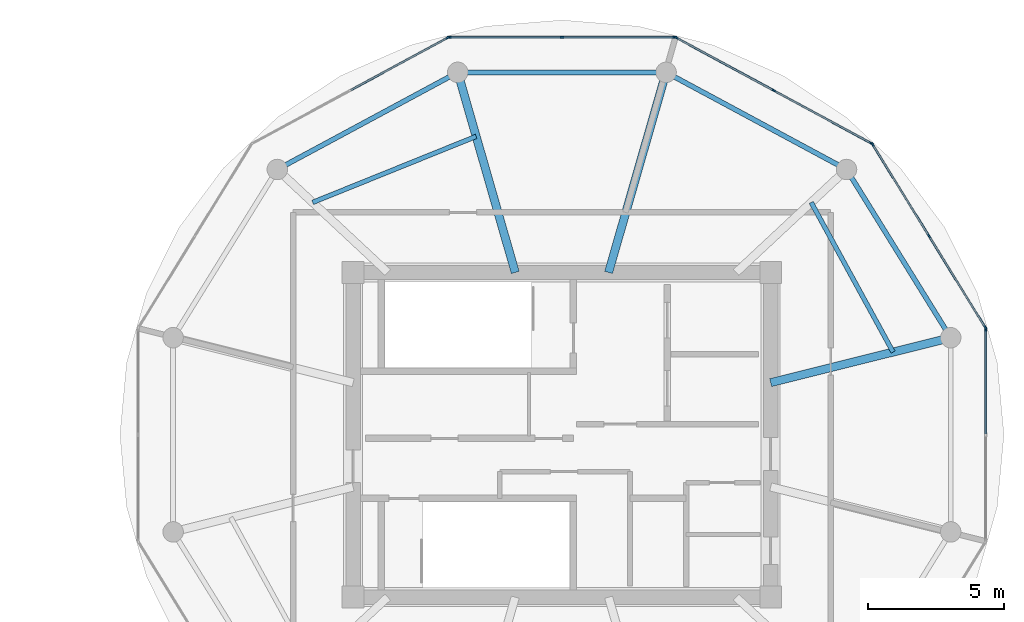
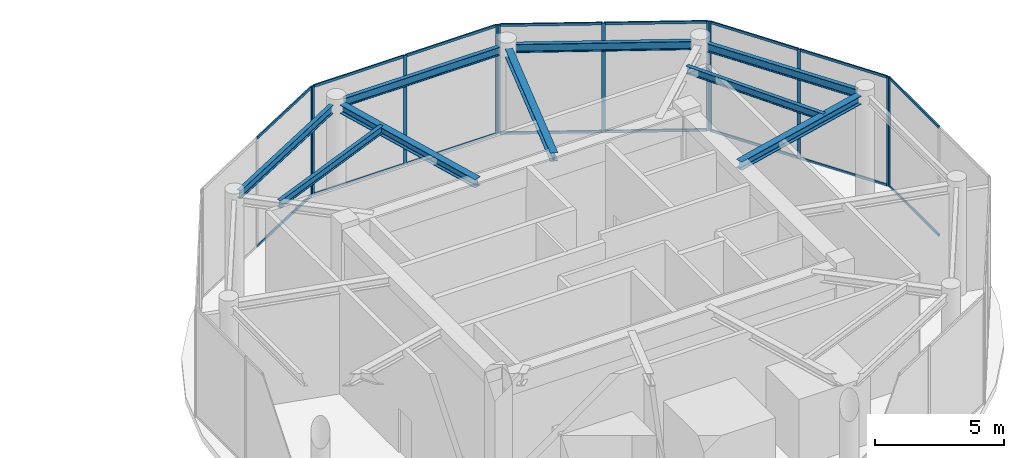
# One storey, part 8 of 15: 27 members, 9 beams, 5 elements without a shape of their own.
"""IFC4 building model written with IfcOpenShell, lengths in metres."""

from ifc_helpers import new_model, si_unit, direction, frame, origin, origin_2d, place, context, subcontext, project, spatial, rectangle, i_section, extrude, source, transform, mapped, material, layer, layer_set, material_profile, profile_set, type_object, type_shapes, element, aggregate, save


model = new_model("IFC4")

# Units and contexts
model_context = context("Model", 3, precision=1e-05, world=origin(), true_north=direction((0.0, 1.0)))
body_context = subcontext(model_context, "Body", "Model", "MODEL_VIEW")
ifc_project = project(units=[si_unit("LENGTHUNIT", "METRE"), si_unit("AREAUNIT", "SQUARE_METRE"), si_unit("VOLUMEUNIT", "CUBIC_METRE"), si_unit("PLANEANGLEUNIT", "RADIAN"), si_unit("MASSUNIT", "GRAM", prefix="KILO")], contexts=[model_context])

# Site, building, storey
site_placement = place(None, origin())
site = spatial("IfcSite", under=ifc_project, at=site_placement, CompositionType="ELEMENT")
building_placement = place(site_placement, origin())
building = spatial("IfcBuilding", under=site, at=building_placement, Name="Norrkilde Senior Care Towers", CompositionType="ELEMENT")
storey_placement = place(building_placement, frame((0.0, 0.0, 244.39990234375)))
storey = spatial("IfcBuildingStorey", under=building, at=storey_placement, Name="L76", CompositionType="ELEMENT", Elevation=244.39990234375)

# Beams
ifc_material_1 = material(Name="Steel S355", Category="steel")
ifc_material_profile_1 = material_profile(ifc_material_1, i_section(OverallWidth=0.179931640625, OverallDepth=0.39990234375, WebThickness=0.008544921875, FlangeThickness=0.013427734375, FilletRadius=0.02099609375, at=origin_2d()), Name="IPE 400")
ifc_profile_set_1 = profile_set([ifc_material_profile_1], Name="Steel S355")
beam_type_1 = type_object("IfcBeamType", Name="Perimeter Ring Spandrel Z4 IPE400", PredefinedType="SPANDREL", material=ifc_profile_set_1)
shared_shape_1 = source(origin(), body_context, "Body", "SweptSolid", [
    extrude(i_section(OverallWidth=0.179931640625, OverallDepth=0.39990234375, WebThickness=0.008544921875, FlangeThickness=0.013427734375, FilletRadius=0.02099609375, at=origin_2d()), origin(), (0.0, 0.0, 1.0), 6.58056640625),
])
beam_1_placement = place(storey_placement, frame((42.071044921875, 3.843505859375, 4.97509765625), z_axis=(-0.526529583789, 0.850156807533, 0.0), x_axis=(-0.850156807533, -0.526529583789, 0.0)))
element("IfcBeam", 1, at=beam_1_placement, inside=storey, type_object=beam_type_1, Name="L76 Drum E Perimeter Spandrel 01", PredefinedType="SPANDREL", context=body_context, shape_type="MappedRepresentation", body=[
    mapped(shared_shape_1, transform((0.0, 0.0, 0.0), x_axis=(1.0, 0.0, 0.0), y_axis=(0.0, 1.0, 0.0), z_axis=(0.0, 0.0, 1.0), scale=1.0)),
])
ifc_material_profile_2 = material_profile(ifc_material_1, i_section(OverallWidth=0.300048828125, OverallDepth=0.39990234375, WebThickness=0.013427734375, FlangeThickness=0.02392578125, FilletRadius=0.027099609375, at=origin_2d()), Name="HEB 400")
ifc_profile_set_2 = profile_set([ifc_material_profile_2], Name="Steel S355")
beam_type_2 = type_object("IfcBeamType", Name="Radial Floor Beam Z4 HEB400", PredefinedType="BEAM", material=ifc_profile_set_2)
shared_shape_2 = source(origin(), body_context, "Body", "SweptSolid", [
    extrude(i_section(OverallWidth=0.300048828125, OverallDepth=0.39990234375, WebThickness=0.013427734375, FlangeThickness=0.02392578125, FilletRadius=0.027099609375, at=origin_2d()), origin(), (0.0, 0.0, 1.0), 6.465087890625),
])
beam_2_placement = place(storey_placement, frame((35.64990234375, 1.910888671875, 4.97509765625), z_axis=(0.970195788563, 0.242322371758, 0.0), x_axis=(-0.242322371758, 0.970195788563, 0.0)))
element("IfcBeam", 2, at=beam_2_placement, inside=storey, type_object=beam_type_2, Name="L76 Drum E Radial Floor Beam 01", PredefinedType="BEAM", context=body_context, shape_type="MappedRepresentation", body=[
    mapped(shared_shape_2, transform((0.0, 0.0, 0.0), x_axis=(1.0, 0.0, 0.0), y_axis=(0.0, 1.0, 0.0), z_axis=(0.0, 0.0, 1.0), scale=1.0)),
])
shared_shape_3 = source(origin(), body_context, "Body", "SweptSolid", [
    extrude(i_section(OverallWidth=0.179931640625, OverallDepth=0.39990234375, WebThickness=0.008544921875, FlangeThickness=0.013427734375, FilletRadius=0.02099609375, at=origin_2d()), origin(), (0.0, 0.0, 1.0), 6.839111328125),
])
for number, where, z_axis, x_axis, name in (
    (3, (38.134765625, 9.881591796875, 4.97509765625), (-0.880563930732, 0.473927382511, 0.0), (-0.473927382511, -0.880563930732, 0.0), "L76 Drum E Perimeter Spandrel 02"),
    (4, (23.887451171875, 13.122802734375, 4.97509765625), (-0.880563930732, -0.473927382511, 0.0), (0.473927382511, -0.880563930732, 0.0), "L76 Drum E Perimeter Spandrel 04"),
):
    element("IfcBeam", number, at=place(storey_placement, frame(where, z_axis=z_axis, x_axis=x_axis)), inside=storey, type_object=beam_type_1, Name=name, PredefinedType="SPANDREL", context=body_context, shape_type="MappedRepresentation", body=[
        mapped(shared_shape_3, transform((0.0, 0.0, 0.0), x_axis=(1.0, 0.0, 0.0), y_axis=(0.0, 1.0, 0.0), z_axis=(0.0, 0.0, 1.0), scale=1.0)),
    ])
shared_shape_4 = source(origin(), body_context, "Body", "SweptSolid", [
    extrude(i_section(OverallWidth=0.179931640625, OverallDepth=0.39990234375, WebThickness=0.008544921875, FlangeThickness=0.013427734375, FilletRadius=0.02099609375, at=origin_2d()), origin(), (0.0, 0.0, 1.0), 6.96533203125),
])
type_shapes(beam_type_1, [shared_shape_1, shared_shape_3, shared_shape_4])
beam_3_placement = place(storey_placement, frame((31.482666015625, 13.281494140625, 4.97509765625), z_axis=(-1.0, 0.0, 0.0), x_axis=(0.0, -1.0, 0.0)))
element("IfcBeam", 5, at=beam_3_placement, inside=storey, type_object=beam_type_1, Name="L76 Drum E Perimeter Spandrel 03", PredefinedType="SPANDREL", context=body_context, shape_type="MappedRepresentation", body=[
    mapped(shared_shape_4, transform((0.0, 0.0, 0.0), x_axis=(1.0, 0.0, 0.0), y_axis=(0.0, 1.0, 0.0), z_axis=(0.0, 0.0, 1.0), scale=1.0)),
])
shared_shape_5 = source(origin(), body_context, "Body", "SweptSolid", [
    extrude(i_section(OverallWidth=0.300048828125, OverallDepth=0.39990234375, WebThickness=0.013427734375, FlangeThickness=0.02392578125, FilletRadius=0.027099609375, at=origin_2d()), origin(), (0.0, 0.0, 1.0), 7.29345703125),
])
type_shapes(beam_type_2, [shared_shape_2, shared_shape_5])
for number, where, z_axis, x_axis, name in (
    (6, (29.710205078125, 5.949951171875, 4.97509765625), (0.276263751906, 0.961081858836, 0.0), (-0.961081858836, 0.276263751906, 0.0), "L76 Drum E Radial Floor Beam 03"),
    (7, (26.289794921875, 5.949951171875, 4.97509765625), (-0.276263751906, 0.961081858836, 0.0), (-0.961081858836, -0.276263751906, 0.0), "L76 Drum E Radial Floor Beam 04"),
):
    element("IfcBeam", number, at=place(storey_placement, frame(where, z_axis=z_axis, x_axis=x_axis)), inside=storey, type_object=beam_type_2, Name=name, PredefinedType="BEAM", context=body_context, shape_type="MappedRepresentation", body=[
        mapped(shared_shape_5, transform((0.0, 0.0, 0.0), x_axis=(1.0, 0.0, 0.0), y_axis=(0.0, 1.0, 0.0), z_axis=(0.0, 0.0, 1.0), scale=1.0)),
    ])
ifc_material_profile_3 = material_profile(ifc_material_1, i_section(OverallWidth=0.169921875, OverallDepth=0.360107421875, WebThickness=0.008056640625, FlangeThickness=0.0126953125, FilletRadius=0.01806640625, at=origin_2d()), Name="IPE 360")
ifc_profile_set_3 = profile_set([ifc_material_profile_3], Name="Steel S355")
beam_type_3 = type_object("IfcBeamType", Name="Secondary Floor Joist IPE360", PredefinedType="JOIST", material=ifc_profile_set_3)
shared_shape_6 = source(origin(), body_context, "Body", "SweptSolid", [
    extrude(i_section(OverallWidth=0.169921875, OverallDepth=0.360107421875, WebThickness=0.008056640625, FlangeThickness=0.0126953125, FilletRadius=0.01806640625, at=origin_2d()), origin(), (0.0, 0.0, 1.0), 6.461669921875),
])
beam_4_placement = place(storey_placement, frame((24.856689453125, 10.935302734375, 4.9951171875), z_axis=(-0.927225942298, -0.374502405772, 0.0), x_axis=(0.374502405772, -0.927225942298, 0.0)))
element("IfcBeam", 8, at=beam_4_placement, inside=storey, type_object=beam_type_3, Name="L76 Drum E Secondary Floor Joist 2", PredefinedType="JOIST", context=body_context, shape_type="MappedRepresentation", body=[
    mapped(shared_shape_6, transform((0.0, 0.0, 0.0), x_axis=(1.0, 0.0, 0.0), y_axis=(0.0, 1.0, 0.0), z_axis=(0.0, 0.0, 1.0), scale=1.0)),
])
shared_shape_7 = source(origin(), body_context, "Body", "SweptSolid", [
    extrude(i_section(OverallWidth=0.169921875, OverallDepth=0.360107421875, WebThickness=0.008056640625, FlangeThickness=0.0126953125, FilletRadius=0.01806640625, at=origin_2d()), origin(), (0.0, 0.0, 1.0), 6.25146484375),
])
type_shapes(beam_type_3, [shared_shape_6, shared_shape_7])
beam_5_placement = place(storey_placement, frame((40.13623046875, 3.031494140625, 4.9951171875), z_axis=(-0.480115752653, 0.877205143655, 0.0), x_axis=(-0.877205143655, -0.480115752653, 0.0)))
element("IfcBeam", 9, at=beam_5_placement, inside=storey, type_object=beam_type_3, Name="L76 Drum E Secondary Floor Joist 1", PredefinedType="JOIST", context=body_context, shape_type="MappedRepresentation", body=[
    mapped(shared_shape_7, transform((0.0, 0.0, 0.0), x_axis=(1.0, 0.0, 0.0), y_axis=(0.0, 1.0, 0.0), z_axis=(0.0, 0.0, 1.0), scale=1.0)),
])

# Curtain wall, members
ifc_material_2 = material(Name="Triple Low-E Insulated Glazing", Category="glass")
ifc_layer = layer(ifc_material_2, 0.205078125)
ifc_layer_set = layer_set([ifc_layer], Name="Triple Low-E Insulated Glazing")
curtain_wall_type = type_object("IfcCurtainWallType", Name="CW7 L76 Damper Lantern Clear Curtain Wall", PredefinedType="NOTDEFINED", material=ifc_layer_set)
curtain_wall_1_placement = place(storey_placement, origin())
curtain_wall_1 = element("IfcCurtainWall", 10, at=curtain_wall_1_placement, inside=storey, type_object=curtain_wall_type, Name="L76 Drum E Curtain Wall 00", PredefinedType="NOTDEFINED")
ifc_material_3 = material(Name="Anodised Aluminium", Category="aluminium")
ifc_material_profile_4 = material_profile(ifc_material_3, rectangle(XDim=0.06005859375, YDim=0.139892578125, at=origin_2d()), Name="ALU MULL 60x140")
ifc_profile_set_4 = profile_set([ifc_material_profile_4], Name="Anodised Aluminium")
member_type_1 = type_object("IfcMemberType", Name="Curtain Wall Mullion Lantern 60x140", PredefinedType="MULLION", material=ifc_profile_set_4)
shared_shape_8 = source(origin(), body_context, "Body", "SweptSolid", [
    extrude(rectangle(XDim=0.06005859375, YDim=0.139892578125, at=origin_2d()), origin(), (0.0, 0.0, 1.0), 5.175048828125),
])
type_shapes(member_type_1, [shared_shape_8])
member_1_placement = place(storey_placement, frame((39.385986328125, 10.6376953125, 0.0), z_axis=(0.0, 0.0, 1.0), x_axis=(0.851562727283, 0.524252726748, 0.0)))
member_1 = element("IfcMember", 11, at=member_1_placement, type_object=member_type_1, Name="CW-7 mullion 1", PredefinedType="MULLION", context=body_context, shape_type="MappedRepresentation", body=[
    mapped(shared_shape_8, transform((0.0, 0.0, 0.0), x_axis=(1.0, 0.0, 0.0), y_axis=(0.0, 1.0, 0.0), z_axis=(0.0, 0.0, 1.0), scale=1.0)),
])
member_2_placement = place(storey_placement, frame((41.451171875, 7.282958984375, 0.0), z_axis=(0.0, 0.0, 1.0), x_axis=(0.851562727283, 0.524252726748, 0.0)))
member_2 = element("IfcMember", 12, at=member_2_placement, type_object=member_type_1, Name="CW-7 mullion 2", PredefinedType="MULLION", context=body_context, shape_type="MappedRepresentation", body=[
    mapped(shared_shape_8, transform((0.0, 0.0, 0.0), x_axis=(1.0, 0.0, 0.0), y_axis=(0.0, 1.0, 0.0), z_axis=(0.0, 0.0, 1.0), scale=1.0)),
])
member_3_placement = place(storey_placement, frame((43.516357421875, 3.928466796875, 0.0), z_axis=(0.0, 0.0, 1.0), x_axis=(0.851562727283, 0.524252726748, 0.0)))
member_3 = element("IfcMember", 13, at=member_3_placement, type_object=member_type_1, Name="CW-7 mullion 3", PredefinedType="MULLION", context=body_context, shape_type="MappedRepresentation", body=[
    mapped(shared_shape_8, transform((0.0, 0.0, 0.0), x_axis=(1.0, 0.0, 0.0), y_axis=(0.0, 1.0, 0.0), z_axis=(0.0, 0.0, 1.0), scale=1.0)),
])

curtain_wall_2_placement = place(storey_placement, origin())
curtain_wall_2 = element("IfcCurtainWall", 14, at=curtain_wall_2_placement, inside=storey, type_object=curtain_wall_type, Name="L76 Drum E Curtain Wall 01", PredefinedType="NOTDEFINED")
member_4_placement = place(storey_placement, frame((32.188232421875, 14.5517578125, 0.0), z_axis=(0.0, 0.0, 1.0), x_axis=(0.476132676136, 0.879373455772, 0.0)))
member_4 = element("IfcMember", 15, at=member_4_placement, type_object=member_type_1, Name="CW-7 mullion 1", PredefinedType="MULLION", context=body_context, shape_type="MappedRepresentation", body=[
    mapped(shared_shape_8, transform((0.0, 0.0, 0.0), x_axis=(1.0, 0.0, 0.0), y_axis=(0.0, 1.0, 0.0), z_axis=(0.0, 0.0, 1.0), scale=1.0)),
])
member_5_placement = place(storey_placement, frame((35.76611328125, 12.61474609375, 0.0), z_axis=(0.0, 0.0, 1.0), x_axis=(0.476132676136, 0.879373455772, 0.0)))
member_5 = element("IfcMember", 16, at=member_5_placement, type_object=member_type_1, Name="CW-7 mullion 2", PredefinedType="MULLION", context=body_context, shape_type="MappedRepresentation", body=[
    mapped(shared_shape_8, transform((0.0, 0.0, 0.0), x_axis=(1.0, 0.0, 0.0), y_axis=(0.0, 1.0, 0.0), z_axis=(0.0, 0.0, 1.0), scale=1.0)),
])
member_6_placement = place(storey_placement, frame((39.343994140625, 10.677490234375, 0.0), z_axis=(0.0, 0.0, 1.0), x_axis=(0.476132676136, 0.879373455772, 0.0)))
member_6 = element("IfcMember", 17, at=member_6_placement, type_object=member_type_1, Name="CW-7 mullion 3", PredefinedType="MULLION", context=body_context, shape_type="MappedRepresentation", body=[
    mapped(shared_shape_8, transform((0.0, 0.0, 0.0), x_axis=(1.0, 0.0, 0.0), y_axis=(0.0, 1.0, 0.0), z_axis=(0.0, 0.0, 1.0), scale=1.0)),
])

curtain_wall_3_placement = place(storey_placement, origin())
curtain_wall_3 = element("IfcCurtainWall", 18, at=curtain_wall_3_placement, inside=storey, type_object=curtain_wall_type, Name="L76 Drum E Curtain Wall 02", PredefinedType="NOTDEFINED")
member_7_placement = place(storey_placement, frame((23.8681640625, 14.566162109375, 0.0), z_axis=(0.0, 0.0, 1.0), x_axis=(0.0, 1.0, 0.0)))
member_7 = element("IfcMember", 19, at=member_7_placement, type_object=member_type_1, Name="CW-7 mullion 1", PredefinedType="MULLION", context=body_context, shape_type="MappedRepresentation", body=[
    mapped(shared_shape_8, transform((0.0, 0.0, 0.0), x_axis=(1.0, 0.0, 0.0), y_axis=(0.0, 1.0, 0.0), z_axis=(0.0, 0.0, 1.0), scale=1.0)),
])
member_8_placement = place(storey_placement, frame((28.0, 14.566162109375, 0.0), z_axis=(0.0, 0.0, 1.0), x_axis=(0.0, 1.0, 0.0)))
member_8 = element("IfcMember", 20, at=member_8_placement, type_object=member_type_1, Name="CW-7 mullion 2", PredefinedType="MULLION", context=body_context, shape_type="MappedRepresentation", body=[
    mapped(shared_shape_8, transform((0.0, 0.0, 0.0), x_axis=(1.0, 0.0, 0.0), y_axis=(0.0, 1.0, 0.0), z_axis=(0.0, 0.0, 1.0), scale=1.0)),
])
member_9_placement = place(storey_placement, frame((32.1318359375, 14.566162109375, 0.0), z_axis=(0.0, 0.0, 1.0), x_axis=(0.0, 1.0, 0.0)))
member_9 = element("IfcMember", 21, at=member_9_placement, type_object=member_type_1, Name="CW-7 mullion 3", PredefinedType="MULLION", context=body_context, shape_type="MappedRepresentation", body=[
    mapped(shared_shape_8, transform((0.0, 0.0, 0.0), x_axis=(1.0, 0.0, 0.0), y_axis=(0.0, 1.0, 0.0), z_axis=(0.0, 0.0, 1.0), scale=1.0)),
])

# Curtain wall, member
curtain_wall_4_placement = place(storey_placement, origin())
curtain_wall_4 = element("IfcCurtainWall", 22, at=curtain_wall_4_placement, inside=storey, type_object=curtain_wall_type, Name="L76 Drum E Curtain Wall 03", PredefinedType="NOTDEFINED")
member_10_placement = place(storey_placement, frame((23.811767578125, 14.5517578125, 0.0), z_axis=(0.0, 0.0, 1.0), x_axis=(-0.476132676136, 0.879373455772, 0.0)))
member_10 = element("IfcMember", 23, at=member_10_placement, type_object=member_type_1, Name="CW-7 mullion 3", PredefinedType="MULLION", context=body_context, shape_type="MappedRepresentation", body=[
    mapped(shared_shape_8, transform((0.0, 0.0, 0.0), x_axis=(1.0, 0.0, 0.0), y_axis=(0.0, 1.0, 0.0), z_axis=(0.0, 0.0, 1.0), scale=1.0)),
])

curtain_wall_5_placement = place(storey_placement, origin())
curtain_wall_5 = element("IfcCurtainWall", 24, at=curtain_wall_5_placement, inside=storey, type_object=curtain_wall_type, Name="L76 Drum E Curtain Wall 11", PredefinedType="NOTDEFINED")
member_11_placement = place(storey_placement, frame((43.531982421875, 3.873046875, 0.0), z_axis=(0.0, 0.0, 1.0), x_axis=(1.0, 0.0, 0.0)))
member_11 = element("IfcMember", 25, at=member_11_placement, type_object=member_type_1, Name="CW-7 mullion 1", PredefinedType="MULLION", context=body_context, shape_type="MappedRepresentation", body=[
    mapped(shared_shape_8, transform((0.0, 0.0, 0.0), x_axis=(1.0, 0.0, 0.0), y_axis=(0.0, 1.0, 0.0), z_axis=(0.0, 0.0, 1.0), scale=1.0)),
])

# Member
ifc_material_profile_5 = material_profile(ifc_material_3, rectangle(XDim=0.06005859375, YDim=0.1201171875, at=origin_2d()), Name="ALU TRAN 60x120")
ifc_profile_set_5 = profile_set([ifc_material_profile_5], Name="Anodised Aluminium")
member_type_2 = type_object("IfcMemberType", Name="Curtain Wall Transom Typical 60x120", PredefinedType="USERDEFINED", material=ifc_profile_set_5)
shared_shape_9 = source(origin(), body_context, "Body", "SweptSolid", [
    extrude(rectangle(XDim=0.06005859375, YDim=0.1201171875, at=origin_2d()), origin(), (0.0, 0.0, 1.0), 3.87939453125),
])
member_12_placement = place(storey_placement, frame((39.401611328125, 10.612060546875, 0.030029296875), z_axis=(0.524290531189, -0.851539452348, 0.0), x_axis=(0.851539452348, 0.524290531189, 0.0)))
member_12 = element("IfcMember", 26, at=member_12_placement, type_object=member_type_2, Name="CW-7 transom 1.1", ObjectType="TRANSOM", PredefinedType="USERDEFINED", context=body_context, shape_type="MappedRepresentation", body=[
    mapped(shared_shape_9, transform((0.0, 0.0, 0.0), x_axis=(1.0, 0.0, 0.0), y_axis=(0.0, 1.0, 0.0), z_axis=(0.0, 0.0, 1.0), scale=1.0)),
])

member_13_placement = place(storey_placement, frame((39.401611328125, 10.612060546875, 5.14501953125), z_axis=(0.524290531189, -0.851539452348, 0.0), x_axis=(0.851539452348, 0.524290531189, 0.0)))
member_13 = element("IfcMember", 27, at=member_13_placement, type_object=member_type_2, Name="CW-7 transom 1.2", ObjectType="TRANSOM", PredefinedType="USERDEFINED", context=body_context, shape_type="MappedRepresentation", body=[
    mapped(shared_shape_9, transform((0.0, 0.0, 0.0), x_axis=(1.0, 0.0, 0.0), y_axis=(0.0, 1.0, 0.0), z_axis=(0.0, 0.0, 1.0), scale=1.0)),
])

member_14_placement = place(storey_placement, frame((41.466796875, 7.257568359375, 0.030029296875), z_axis=(0.524290531189, -0.851539452348, 0.0), x_axis=(0.851539452348, 0.524290531189, 0.0)))
member_14 = element("IfcMember", 28, at=member_14_placement, type_object=member_type_2, Name="CW-7 transom 2.1", ObjectType="TRANSOM", PredefinedType="USERDEFINED", context=body_context, shape_type="MappedRepresentation", body=[
    mapped(shared_shape_9, transform((0.0, 0.0, 0.0), x_axis=(1.0, 0.0, 0.0), y_axis=(0.0, 1.0, 0.0), z_axis=(0.0, 0.0, 1.0), scale=1.0)),
])

member_15_placement = place(storey_placement, frame((41.466796875, 7.257568359375, 5.14501953125), z_axis=(0.524290531189, -0.851539452348, 0.0), x_axis=(0.851539452348, 0.524290531189, 0.0)))
member_15 = element("IfcMember", 29, at=member_15_placement, type_object=member_type_2, Name="CW-7 transom 2.2", ObjectType="TRANSOM", PredefinedType="USERDEFINED", context=body_context, shape_type="MappedRepresentation", body=[
    mapped(shared_shape_9, transform((0.0, 0.0, 0.0), x_axis=(1.0, 0.0, 0.0), y_axis=(0.0, 1.0, 0.0), z_axis=(0.0, 0.0, 1.0), scale=1.0)),
])

aggregate(curtain_wall_1, [member_1, member_2, member_3, member_12, member_13, member_14, member_15])

shared_shape_10 = source(origin(), body_context, "Body", "SweptSolid", [
    extrude(rectangle(XDim=0.06005859375, YDim=0.1201171875, at=origin_2d()), origin(), (0.0, 0.0, 1.0), 4.0087890625),
])
member_16_placement = place(storey_placement, frame((32.214599609375, 14.53759765625, 0.030029296875), z_axis=(0.87937165888, -0.476135994815, 0.0), x_axis=(0.476135994815, 0.87937165888, 0.0)))
member_16 = element("IfcMember", 30, at=member_16_placement, type_object=member_type_2, Name="CW-7 transom 1.1", ObjectType="TRANSOM", PredefinedType="USERDEFINED", context=body_context, shape_type="MappedRepresentation", body=[
    mapped(shared_shape_10, transform((0.0, 0.0, 0.0), x_axis=(1.0, 0.0, 0.0), y_axis=(0.0, 1.0, 0.0), z_axis=(0.0, 0.0, 1.0), scale=1.0)),
])

member_17_placement = place(storey_placement, frame((32.214599609375, 14.53759765625, 5.14501953125), z_axis=(0.87937165888, -0.476135994815, 0.0), x_axis=(0.476135994815, 0.87937165888, 0.0)))
member_17 = element("IfcMember", 31, at=member_17_placement, type_object=member_type_2, Name="CW-7 transom 1.2", ObjectType="TRANSOM", PredefinedType="USERDEFINED", context=body_context, shape_type="MappedRepresentation", body=[
    mapped(shared_shape_10, transform((0.0, 0.0, 0.0), x_axis=(1.0, 0.0, 0.0), y_axis=(0.0, 1.0, 0.0), z_axis=(0.0, 0.0, 1.0), scale=1.0)),
])

member_18_placement = place(storey_placement, frame((35.79248046875, 12.600341796875, 0.030029296875), z_axis=(0.87937165888, -0.476135994815, 0.0), x_axis=(0.476135994815, 0.87937165888, 0.0)))
member_18 = element("IfcMember", 32, at=member_18_placement, type_object=member_type_2, Name="CW-7 transom 2.1", ObjectType="TRANSOM", PredefinedType="USERDEFINED", context=body_context, shape_type="MappedRepresentation", body=[
    mapped(shared_shape_10, transform((0.0, 0.0, 0.0), x_axis=(1.0, 0.0, 0.0), y_axis=(0.0, 1.0, 0.0), z_axis=(0.0, 0.0, 1.0), scale=1.0)),
])

member_19_placement = place(storey_placement, frame((35.79248046875, 12.600341796875, 5.14501953125), z_axis=(0.87937165888, -0.476135994815, 0.0), x_axis=(0.476135994815, 0.87937165888, 0.0)))
member_19 = element("IfcMember", 33, at=member_19_placement, type_object=member_type_2, Name="CW-7 transom 2.2", ObjectType="TRANSOM", PredefinedType="USERDEFINED", context=body_context, shape_type="MappedRepresentation", body=[
    mapped(shared_shape_10, transform((0.0, 0.0, 0.0), x_axis=(1.0, 0.0, 0.0), y_axis=(0.0, 1.0, 0.0), z_axis=(0.0, 0.0, 1.0), scale=1.0)),
])

aggregate(curtain_wall_2, [member_4, member_5, member_6, member_16, member_17, member_18, member_19])

member_20_placement = place(storey_placement, frame((20.26025390625, 12.62890625, 0.030029296875), z_axis=(0.87937165888, 0.476135994815, 0.0), x_axis=(-0.476135994815, 0.87937165888, 0.0)))
member_20 = element("IfcMember", 34, at=member_20_placement, type_object=member_type_2, Name="CW-7 transom 2.1", ObjectType="TRANSOM", PredefinedType="USERDEFINED", context=body_context, shape_type="MappedRepresentation", body=[
    mapped(shared_shape_10, transform((0.0, 0.0, 0.0), x_axis=(1.0, 0.0, 0.0), y_axis=(0.0, 1.0, 0.0), z_axis=(0.0, 0.0, 1.0), scale=1.0)),
])

member_21_placement = place(storey_placement, frame((20.26025390625, 12.62890625, 5.14501953125), z_axis=(0.87937165888, 0.476135994815, 0.0), x_axis=(-0.476135994815, 0.87937165888, 0.0)))
member_21 = element("IfcMember", 35, at=member_21_placement, type_object=member_type_2, Name="CW-7 transom 2.2", ObjectType="TRANSOM", PredefinedType="USERDEFINED", context=body_context, shape_type="MappedRepresentation", body=[
    mapped(shared_shape_10, transform((0.0, 0.0, 0.0), x_axis=(1.0, 0.0, 0.0), y_axis=(0.0, 1.0, 0.0), z_axis=(0.0, 0.0, 1.0), scale=1.0)),
])

aggregate(curtain_wall_4, [member_10, member_20, member_21])

shared_shape_11 = source(origin(), body_context, "Body", "SweptSolid", [
    extrude(rectangle(XDim=0.06005859375, YDim=0.1201171875, at=origin_2d()), origin(), (0.0, 0.0, 1.0), 4.07177734375),
])
member_22_placement = place(storey_placement, frame((23.898193359375, 14.566162109375, 0.030029296875), z_axis=(1.0, 0.0, 0.0), x_axis=(0.0, 1.0, 0.0)))
member_22 = element("IfcMember", 36, at=member_22_placement, type_object=member_type_2, Name="CW-7 transom 1.1", ObjectType="TRANSOM", PredefinedType="USERDEFINED", context=body_context, shape_type="MappedRepresentation", body=[
    mapped(shared_shape_11, transform((0.0, 0.0, 0.0), x_axis=(1.0, 0.0, 0.0), y_axis=(0.0, 1.0, 0.0), z_axis=(0.0, 0.0, 1.0), scale=1.0)),
])

member_23_placement = place(storey_placement, frame((23.898193359375, 14.566162109375, 5.14501953125), z_axis=(1.0, 0.0, 0.0), x_axis=(0.0, 1.0, 0.0)))
member_23 = element("IfcMember", 37, at=member_23_placement, type_object=member_type_2, Name="CW-7 transom 1.2", ObjectType="TRANSOM", PredefinedType="USERDEFINED", context=body_context, shape_type="MappedRepresentation", body=[
    mapped(shared_shape_11, transform((0.0, 0.0, 0.0), x_axis=(1.0, 0.0, 0.0), y_axis=(0.0, 1.0, 0.0), z_axis=(0.0, 0.0, 1.0), scale=1.0)),
])

member_24_placement = place(storey_placement, frame((28.030029296875, 14.566162109375, 0.030029296875), z_axis=(1.0, 0.0, 0.0), x_axis=(0.0, 1.0, 0.0)))
member_24 = element("IfcMember", 38, at=member_24_placement, type_object=member_type_2, Name="CW-7 transom 2.1", ObjectType="TRANSOM", PredefinedType="USERDEFINED", context=body_context, shape_type="MappedRepresentation", body=[
    mapped(shared_shape_11, transform((0.0, 0.0, 0.0), x_axis=(1.0, 0.0, 0.0), y_axis=(0.0, 1.0, 0.0), z_axis=(0.0, 0.0, 1.0), scale=1.0)),
])

member_25_placement = place(storey_placement, frame((28.030029296875, 14.566162109375, 5.14501953125), z_axis=(1.0, 0.0, 0.0), x_axis=(0.0, 1.0, 0.0)))
member_25 = element("IfcMember", 39, at=member_25_placement, type_object=member_type_2, Name="CW-7 transom 2.2", ObjectType="TRANSOM", PredefinedType="USERDEFINED", context=body_context, shape_type="MappedRepresentation", body=[
    mapped(shared_shape_11, transform((0.0, 0.0, 0.0), x_axis=(1.0, 0.0, 0.0), y_axis=(0.0, 1.0, 0.0), z_axis=(0.0, 0.0, 1.0), scale=1.0)),
])

aggregate(curtain_wall_3, [member_7, member_8, member_9, member_22, member_23, member_24, member_25])

shared_shape_12 = source(origin(), body_context, "Body", "SweptSolid", [
    extrude(rectangle(XDim=0.06005859375, YDim=0.1201171875, at=origin_2d()), origin(), (0.0, 0.0, 1.0), 3.81298828125),
])
type_shapes(member_type_2, [shared_shape_9, shared_shape_10, shared_shape_11, shared_shape_12])
member_26_placement = place(storey_placement, frame((43.531982421875, 3.843017578125, 0.030029296875), z_axis=(0.0, -1.0, 0.0), x_axis=(1.0, 0.0, 0.0)))
member_26 = element("IfcMember", 40, at=member_26_placement, type_object=member_type_2, Name="CW-7 transom 1.1", ObjectType="TRANSOM", PredefinedType="USERDEFINED", context=body_context, shape_type="MappedRepresentation", body=[
    mapped(shared_shape_12, transform((0.0, 0.0, 0.0), x_axis=(1.0, 0.0, 0.0), y_axis=(0.0, 1.0, 0.0), z_axis=(0.0, 0.0, 1.0), scale=1.0)),
])

member_27_placement = place(storey_placement, frame((43.531982421875, 3.843017578125, 5.14501953125), z_axis=(0.0, -1.0, 0.0), x_axis=(1.0, 0.0, 0.0)))
member_27 = element("IfcMember", 41, at=member_27_placement, type_object=member_type_2, Name="CW-7 transom 1.2", ObjectType="TRANSOM", PredefinedType="USERDEFINED", context=body_context, shape_type="MappedRepresentation", body=[
    mapped(shared_shape_12, transform((0.0, 0.0, 0.0), x_axis=(1.0, 0.0, 0.0), y_axis=(0.0, 1.0, 0.0), z_axis=(0.0, 0.0, 1.0), scale=1.0)),
])

aggregate(curtain_wall_5, [member_11, member_26, member_27])

save(model, "model.ifc")
